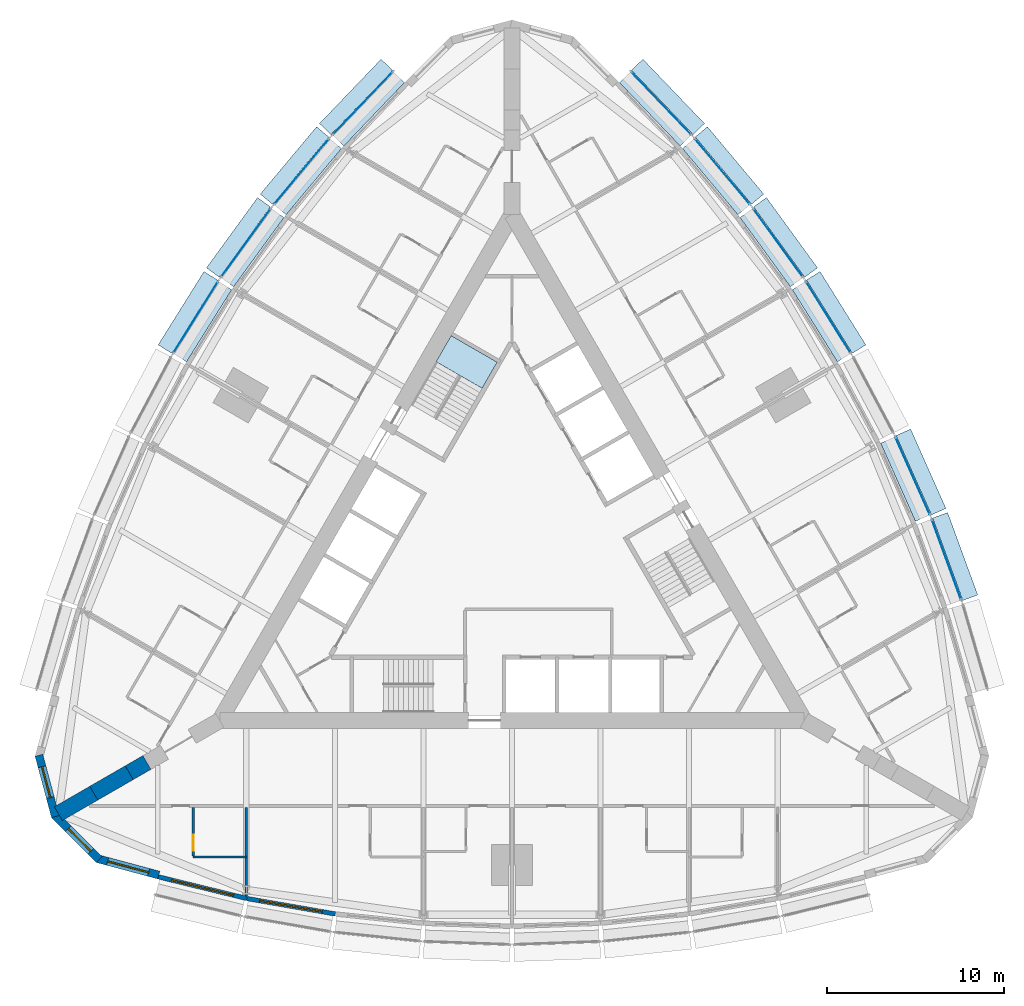
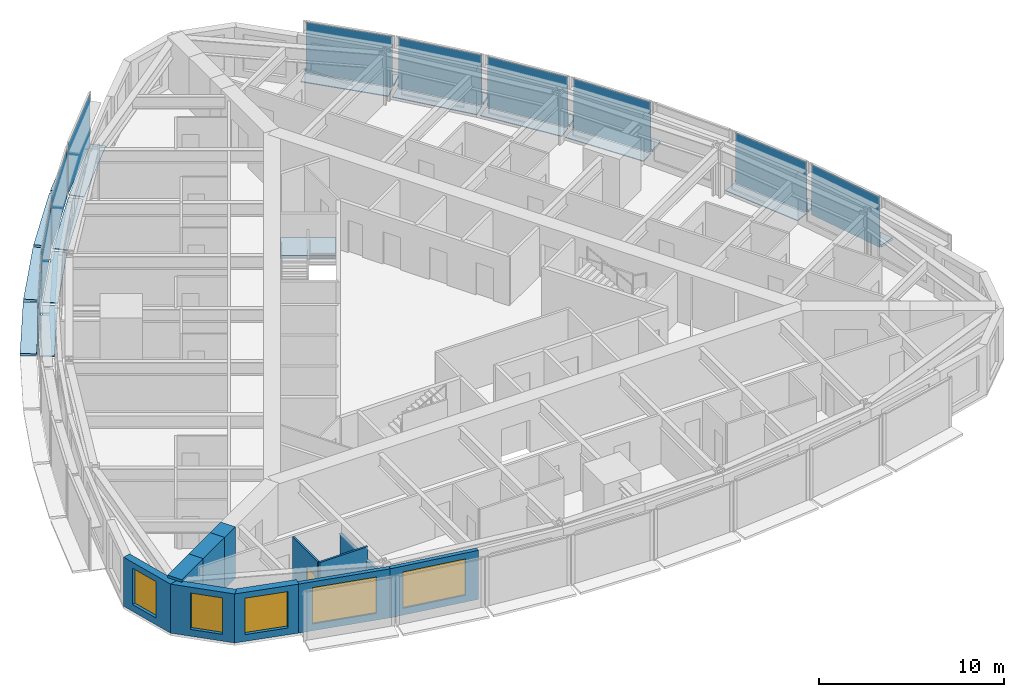
# One storey, part 7 of 14: 29 plates, 11 walls, 5 windows, 1 door, 1 slab, 6 openings, 11 elements without a shape of their own.
"""IFC4 building model written with IfcOpenShell, lengths in metres."""

from ifc_helpers import new_model, si_unit, direction, frame, frame_2d, origin, origin_2d, place, context, subcontext, project, spatial, polyline, rectangle, outline, extrude, material, layer, layer_set, type_object, element, fill, aggregate, save


model = new_model("IFC4")

# Units and contexts
model_context = context("Model", 3, precision=1e-05, world=origin(), true_north=direction((0.0, 1.0)))
body_context = subcontext(model_context, "Body", "Model", "MODEL_VIEW")
ifc_project = project(units=[si_unit("LENGTHUNIT", "METRE"), si_unit("AREAUNIT", "SQUARE_METRE"), si_unit("VOLUMEUNIT", "CUBIC_METRE"), si_unit("PLANEANGLEUNIT", "RADIAN"), si_unit("MASSUNIT", "GRAM", prefix="KILO")], contexts=[model_context])

# Site, building, storey
site_placement = place(None, origin())
site = spatial("IfcSite", under=ifc_project, at=site_placement, CompositionType="ELEMENT")
building_placement = place(site_placement, origin())
building = spatial("IfcBuilding", under=site, at=building_placement, Name="Trikona Tower", CompositionType="ELEMENT")
storey_placement = place(building_placement, frame((0.0, 0.0, 124.89990234375)))
storey = spatial("IfcBuildingStorey", under=building, at=storey_placement, Name="L32", CompositionType="ELEMENT", Elevation=124.89990234375)

# Plates
ifc_material_1 = material(Name="Aluminium bar grating", Category="aluminium")
ifc_layer_1 = layer(ifc_material_1, 0.050048828125)
ifc_layer_set_1 = layer_set([ifc_layer_1], Name="Cavity catwalk grating")
plate_type_1 = type_object("IfcPlateType", Name="Cavity catwalk grating", PredefinedType="USERDEFINED", material=ifc_layer_set_1)
plate_1_placement = place(storey_placement, frame((22.175048828125, 4.092529296875, -0.0498046875), z_axis=(0.0, 0.0, 1.0), x_axis=(-0.406843467615, 0.913497888809, 0.0)))
element("IfcPlate", 1, at=plate_1_placement, inside=storey, type_object=plate_type_1, Name="Cavity catwalk L32-14", ObjectType="CATWALK GRATING", PredefinedType="USERDEFINED", context=body_context, shape_type="SweptSolid", body=[
    extrude(rectangle(XDim=4.827392578125, YDim=0.830078125, at=origin_2d()), origin(), (0.0, 0.0, 1.0), 0.050048828125),
])
plate_2_placement = place(storey_placement, frame((17.450927734375, 12.978759765625, -0.0498046875), z_axis=(0.0, 0.0, 1.0), x_axis=(-0.529994748414, 0.848000923734, 0.0)))
element("IfcPlate", 2, at=plate_2_placement, inside=storey, type_object=plate_type_1, Name="Cavity catwalk L32-16", ObjectType="CATWALK GRATING", PredefinedType="USERDEFINED", context=body_context, shape_type="SweptSolid", body=[
    extrude(rectangle(XDim=4.802978515625, YDim=0.830078125, at=origin_2d()), origin(), (0.0, 0.0, 1.0), 0.050048828125),
])
plate_3_placement = place(storey_placement, frame((14.6318359375, 17.157958984375, -0.0498046875), z_axis=(0.0, 0.0, 1.0), x_axis=(-0.587686407834, 0.809088799853, 0.0)))
element("IfcPlate", 3, at=plate_3_placement, inside=storey, type_object=plate_type_1, Name="Cavity catwalk L32-17", ObjectType="CATWALK GRATING", PredefinedType="USERDEFINED", context=body_context, shape_type="SweptSolid", body=[
    extrude(rectangle(XDim=4.827392578125, YDim=0.830078125, at=origin_2d()), origin(), (0.0, 0.0, 1.0), 0.050048828125),
])
plate_4_placement = place(storey_placement, frame((11.508056640625, 21.160400390625, -0.0498046875), z_axis=(0.0, 0.0, 1.0), x_axis=(-0.641807063101, 0.766866151133, 0.0)))
element("IfcPlate", 4, at=plate_4_placement, inside=storey, type_object=plate_type_1, Name="Cavity catwalk L32-18", ObjectType="CATWALK GRATING", PredefinedType="USERDEFINED", context=body_context, shape_type="SweptSolid", body=[
    extrude(rectangle(XDim=4.8759765625, YDim=0.830078125, at=origin_2d()), origin(), (0.0, 0.0, 1.0), 0.050048828125),
])
for number, where, z_axis, x_axis, name in (
    (5, (8.080078125, 24.986328125, -0.0498046875), (0.0, 0.0, 1.0), (-0.691723573819, 0.722162376078, 0.0), "Cavity catwalk L32-19"),
    (6, (-8.080078125, 24.986328125, -0.0498046875), (0.0, 0.0, 1.0), (-0.691723573819, -0.722162376078, 0.0), "Cavity catwalk L32-24"),
):
    element("IfcPlate", number, at=place(storey_placement, frame(where, z_axis=z_axis, x_axis=x_axis)), inside=storey, type_object=plate_type_1, Name=name, ObjectType="CATWALK GRATING", PredefinedType="USERDEFINED", context=body_context, shape_type="SweptSolid", body=[
        extrude(rectangle(XDim=4.947998046875, YDim=0.830078125, at=origin_2d()), origin(), (0.0, 0.0, 1.0), 0.050048828125),
    ])
plate_5_placement = place(storey_placement, frame((-11.508056640625, 21.160400390625, -0.0498046875), z_axis=(0.0, 0.0, 1.0), x_axis=(-0.641807063101, -0.766866151133, 0.0)))
element("IfcPlate", 7, at=plate_5_placement, inside=storey, type_object=plate_type_1, Name="Cavity catwalk L32-25", ObjectType="CATWALK GRATING", PredefinedType="USERDEFINED", context=body_context, shape_type="SweptSolid", body=[
    extrude(rectangle(XDim=4.8759765625, YDim=0.830078125, at=origin_2d()), origin(), (0.0, 0.0, 1.0), 0.050048828125),
])
plate_6_placement = place(storey_placement, frame((-14.6318359375, 17.157958984375, -0.0498046875), z_axis=(0.0, 0.0, 1.0), x_axis=(-0.587686407834, -0.809088799853, 0.0)))
element("IfcPlate", 8, at=plate_6_placement, inside=storey, type_object=plate_type_1, Name="Cavity catwalk L32-26", ObjectType="CATWALK GRATING", PredefinedType="USERDEFINED", context=body_context, shape_type="SweptSolid", body=[
    extrude(rectangle(XDim=4.827392578125, YDim=0.830078125, at=origin_2d()), origin(), (0.0, 0.0, 1.0), 0.050048828125),
])
plate_7_placement = place(storey_placement, frame((-17.450927734375, 12.978759765625, -0.0498046875), z_axis=(0.0, 0.0, 1.0), x_axis=(-0.529994748414, -0.848000923734, 0.0)))
element("IfcPlate", 9, at=plate_7_placement, inside=storey, type_object=plate_type_1, Name="Cavity catwalk L32-27", ObjectType="CATWALK GRATING", PredefinedType="USERDEFINED", context=body_context, shape_type="SweptSolid", body=[
    extrude(rectangle(XDim=4.802978515625, YDim=0.830078125, at=origin_2d()), origin(), (0.0, 0.0, 1.0), 0.050048828125),
])

# Curtain wall, plate
ifc_material_2 = material(Name="Aluminium curtain wall system", Category="aluminium")
curtain_wall_type = type_object("IfcCurtainWallType", Name="Curtain wall DS2", PredefinedType="NOTDEFINED", material=ifc_material_2)
curtain_wall_1_placement = place(storey_placement, origin())
curtain_wall_1 = element("IfcCurtainWall", 10, at=curtain_wall_1_placement, inside=storey, type_object=curtain_wall_type, Name="Curtain wall DS2 L32", PredefinedType="NOTDEFINED")
ifc_material_3 = material(Name="Laminated clear glass", Category="glass")
ifc_layer_2 = layer(ifc_material_3, 0.028076171875)
ifc_layer_set_2 = layer_set([ifc_layer_2], Name="Glass panel DS2")
plate_type_2 = type_object("IfcPlateType", Name="Glass panel DS2", PredefinedType="CURTAIN_PANEL", material=ifc_layer_set_2)
plate_8_placement = place(storey_placement, frame((24.53515625, -0.447509765625, 0.0), z_axis=(0.0, 0.0, 1.0), x_axis=(-0.343223420143, 0.939253790978, 0.0)))
plate_8 = element("IfcPlate", 11, at=plate_8_placement, type_object=plate_type_2, Name="CW-DS2 panel 1.1", PredefinedType="CURTAIN_PANEL", context=body_context, shape_type="SweptSolid", body=[
    extrude(rectangle(XDim=4.7958984375, YDim=0.028076171875, at=origin_2d()), origin(), (0.0, 0.0, 1.0), 3.320068359375),
])
aggregate(curtain_wall_1, [plate_8])

curtain_wall_2_placement = place(storey_placement, origin())
curtain_wall_2 = element("IfcCurtainWall", 12, at=curtain_wall_2_placement, inside=storey, type_object=curtain_wall_type, Name="Curtain wall DS2 L32", PredefinedType="NOTDEFINED")
plate_9_placement = place(storey_placement, frame((22.6181640625, 4.289794921875, 0.0), z_axis=(0.0, 0.0, 1.0), x_axis=(-0.406836013132, 0.913501208767, 0.0)))
plate_9 = element("IfcPlate", 13, at=plate_9_placement, type_object=plate_type_2, Name="CW-DS2 panel 1.1", PredefinedType="CURTAIN_PANEL", context=body_context, shape_type="SweptSolid", body=[
    extrude(rectangle(XDim=4.747314453125, YDim=0.028076171875, at=origin_2d()), origin(), (0.0, 0.0, 1.0), 3.320068359375),
])
aggregate(curtain_wall_2, [plate_9])

curtain_wall_3_placement = place(storey_placement, origin())
curtain_wall_3 = element("IfcCurtainWall", 14, at=curtain_wall_3_placement, inside=storey, type_object=curtain_wall_type, Name="Curtain wall DS2 L32", PredefinedType="NOTDEFINED")
plate_10_placement = place(storey_placement, frame((17.8623046875, 13.23583984375, 0.0), z_axis=(0.0, 0.0, 1.0), x_axis=(-0.529998940002, 0.847998304006, 0.0)))
plate_10 = element("IfcPlate", 15, at=plate_10_placement, type_object=plate_type_2, Name="CW-DS2 panel 1.1", PredefinedType="CURTAIN_PANEL", context=body_context, shape_type="SweptSolid", body=[
    extrude(rectangle(XDim=4.72314453125, YDim=0.028076171875, at=origin_2d()), origin(), (0.0, 0.0, 1.0), 3.320068359375),
])
aggregate(curtain_wall_3, [plate_10])

curtain_wall_4_placement = place(storey_placement, origin())
curtain_wall_4 = element("IfcCurtainWall", 16, at=curtain_wall_4_placement, inside=storey, type_object=curtain_wall_type, Name="Curtain wall DS2 L32", PredefinedType="NOTDEFINED")
plate_11_placement = place(storey_placement, frame((15.024169921875, 17.443115234375, 0.0), z_axis=(0.0, 0.0, 1.0), x_axis=(-0.587690588313, 0.80908576332, 0.0)))
plate_11 = element("IfcPlate", 17, at=plate_11_placement, type_object=plate_type_2, Name="CW-DS2 panel 1.1", PredefinedType="CURTAIN_PANEL", context=body_context, shape_type="SweptSolid", body=[
    extrude(rectangle(XDim=4.74755859375, YDim=0.028076171875, at=origin_2d()), origin(), (0.0, 0.0, 1.0), 3.320068359375),
])
aggregate(curtain_wall_4, [plate_11])

curtain_wall_5_placement = place(storey_placement, origin())
curtain_wall_5 = element("IfcCurtainWall", 18, at=curtain_wall_5_placement, inside=storey, type_object=curtain_wall_type, Name="Curtain wall DS2 L32", PredefinedType="NOTDEFINED")
plate_12_placement = place(storey_placement, frame((11.8798828125, 21.4716796875, 0.0), z_axis=(0.0, 0.0, 1.0), x_axis=(-0.641806433248, 0.766866678271, 0.0)))
plate_12 = element("IfcPlate", 19, at=plate_12_placement, type_object=plate_type_2, Name="CW-DS2 panel 1.1", PredefinedType="CURTAIN_PANEL", context=body_context, shape_type="SweptSolid", body=[
    extrude(rectangle(XDim=4.7958984375, YDim=0.028076171875, at=origin_2d()), origin(), (0.0, 0.0, 1.0), 3.320068359375),
])
aggregate(curtain_wall_5, [plate_12])

curtain_wall_6_placement = place(storey_placement, origin())
curtain_wall_6 = element("IfcCurtainWall", 20, at=curtain_wall_6_placement, inside=storey, type_object=curtain_wall_type, Name="Curtain wall DS2 L32", PredefinedType="NOTDEFINED")
plate_13_placement = place(storey_placement, frame((8.430419921875, 25.32177734375, 0.0), z_axis=(0.0, 0.0, 1.0), x_axis=(-0.691727797117, 0.722158330767, 0.0)))
plate_13 = element("IfcPlate", 21, at=plate_13_placement, type_object=plate_type_2, Name="CW-DS2 panel 1.1", PredefinedType="CURTAIN_PANEL", context=body_context, shape_type="SweptSolid", body=[
    extrude(rectangle(XDim=4.867919921875, YDim=0.028076171875, at=origin_2d()), origin(), (0.0, 0.0, 1.0), 3.320068359375),
])
aggregate(curtain_wall_6, [plate_13])

curtain_wall_7_placement = place(storey_placement, origin())
curtain_wall_7 = element("IfcCurtainWall", 22, at=curtain_wall_7_placement, inside=storey, type_object=curtain_wall_type, Name="Curtain wall DS2 L32", PredefinedType="NOTDEFINED")
plate_14_placement = place(storey_placement, frame((-8.430419921875, 25.32177734375, 0.0), z_axis=(0.0, 0.0, 1.0), x_axis=(-0.691727797117, -0.722158330767, 0.0)))
plate_14 = element("IfcPlate", 23, at=plate_14_placement, type_object=plate_type_2, Name="CW-DS2 panel 1.1", PredefinedType="CURTAIN_PANEL", context=body_context, shape_type="SweptSolid", body=[
    extrude(rectangle(XDim=4.867919921875, YDim=0.028076171875, at=origin_2d()), origin(), (0.0, 0.0, 1.0), 3.320068359375),
])
aggregate(curtain_wall_7, [plate_14])

curtain_wall_8_placement = place(storey_placement, origin())
curtain_wall_8 = element("IfcCurtainWall", 24, at=curtain_wall_8_placement, inside=storey, type_object=curtain_wall_type, Name="Curtain wall DS2 L32", PredefinedType="NOTDEFINED")
plate_15_placement = place(storey_placement, frame((-11.8798828125, 21.4716796875, 0.0), z_axis=(0.0, 0.0, 1.0), x_axis=(-0.641806433248, -0.766866678271, 0.0)))
plate_15 = element("IfcPlate", 25, at=plate_15_placement, type_object=plate_type_2, Name="CW-DS2 panel 1.1", PredefinedType="CURTAIN_PANEL", context=body_context, shape_type="SweptSolid", body=[
    extrude(rectangle(XDim=4.7958984375, YDim=0.028076171875, at=origin_2d()), origin(), (0.0, 0.0, 1.0), 3.320068359375),
])
aggregate(curtain_wall_8, [plate_15])

curtain_wall_9_placement = place(storey_placement, origin())
curtain_wall_9 = element("IfcCurtainWall", 26, at=curtain_wall_9_placement, inside=storey, type_object=curtain_wall_type, Name="Curtain wall DS2 L32", PredefinedType="NOTDEFINED")
plate_16_placement = place(storey_placement, frame((-15.024169921875, 17.443115234375, 0.0), z_axis=(0.0, 0.0, 1.0), x_axis=(-0.587690588313, -0.80908576332, 0.0)))
plate_16 = element("IfcPlate", 27, at=plate_16_placement, type_object=plate_type_2, Name="CW-DS2 panel 1.1", PredefinedType="CURTAIN_PANEL", context=body_context, shape_type="SweptSolid", body=[
    extrude(rectangle(XDim=4.74755859375, YDim=0.028076171875, at=origin_2d()), origin(), (0.0, 0.0, 1.0), 3.320068359375),
])
aggregate(curtain_wall_9, [plate_16])

curtain_wall_10_placement = place(storey_placement, origin())
curtain_wall_10 = element("IfcCurtainWall", 28, at=curtain_wall_10_placement, inside=storey, type_object=curtain_wall_type, Name="Curtain wall DS2 L32", PredefinedType="NOTDEFINED")
plate_17_placement = place(storey_placement, frame((-17.8623046875, 13.23583984375, 0.0), z_axis=(0.0, 0.0, 1.0), x_axis=(-0.529998940002, -0.847998304006, 0.0)))
plate_17 = element("IfcPlate", 29, at=plate_17_placement, type_object=plate_type_2, Name="CW-DS2 panel 1.1", PredefinedType="CURTAIN_PANEL", context=body_context, shape_type="SweptSolid", body=[
    extrude(rectangle(XDim=4.72314453125, YDim=0.028076171875, at=origin_2d()), origin(), (0.0, 0.0, 1.0), 3.320068359375),
])
aggregate(curtain_wall_10, [plate_17])

# Plates
ifc_material_4 = material(Name="Aluminium plate fin, pale anodised, on stainless steel outriggers", Category="steel")
ifc_layer_3 = layer(ifc_material_4, 0.14990234375)
ifc_layer_set_3 = layer_set([ifc_layer_3], Name="Outer skin fin 900")
plate_type_3 = type_object("IfcPlateType", Name="Outer skin fin 900", PredefinedType="USERDEFINED", material=ifc_layer_set_3)
plate_18_placement = place(storey_placement, frame((25.0234375, -0.26904296875, 0.000244140625), z_axis=(0.0, 0.0, 1.0), x_axis=(-0.343220397324, 0.939254895575, 0.0)))
element("IfcPlate", 30, at=plate_18_placement, inside=storey, type_object=plate_type_3, Name="Outer skin fin L32-13", ObjectType="FIN", PredefinedType="USERDEFINED", context=body_context, shape_type="SweptSolid", body=[
    extrude(rectangle(XDim=4.9560546875, YDim=0.89990234375, at=origin_2d()), origin(), (0.0, 0.0, 1.0), 0.14990234375),
])
plate_19_placement = place(storey_placement, frame((23.09326171875, 4.50146484375, 0.000244140625), z_axis=(0.0, 0.0, 1.0), x_axis=(-0.406843467615, 0.913497888809, 0.0)))
element("IfcPlate", 31, at=plate_19_placement, inside=storey, type_object=plate_type_3, Name="Outer skin fin L32-14", ObjectType="FIN", PredefinedType="USERDEFINED", context=body_context, shape_type="SweptSolid", body=[
    extrude(rectangle(XDim=4.907470703125, YDim=0.89990234375, at=origin_2d()), origin(), (0.0, 0.0, 1.0), 0.14990234375),
])
plate_20_placement = place(storey_placement, frame((18.30322265625, 13.511474609375, 0.000244140625), z_axis=(0.0, 0.0, 1.0), x_axis=(-0.529994748414, 0.848000923734, 0.0)))
element("IfcPlate", 32, at=plate_20_placement, inside=storey, type_object=plate_type_3, Name="Outer skin fin L32-16", ObjectType="FIN", PredefinedType="USERDEFINED", context=body_context, shape_type="SweptSolid", body=[
    extrude(rectangle(XDim=4.883056640625, YDim=0.89990234375, at=origin_2d()), origin(), (0.0, 0.0, 1.0), 0.14990234375),
])
plate_21_placement = place(storey_placement, frame((15.44482421875, 17.74853515625, 0.000244140625), z_axis=(0.0, 0.0, 1.0), x_axis=(-0.587686407834, 0.809088799853, 0.0)))
element("IfcPlate", 33, at=plate_21_placement, inside=storey, type_object=plate_type_3, Name="Outer skin fin L32-17", ObjectType="FIN", PredefinedType="USERDEFINED", context=body_context, shape_type="SweptSolid", body=[
    extrude(rectangle(XDim=4.907470703125, YDim=0.89990234375, at=origin_2d()), origin(), (0.0, 0.0, 1.0), 0.14990234375),
])
plate_22_placement = place(storey_placement, frame((12.27880859375, 21.8056640625, 0.000244140625), z_axis=(0.0, 0.0, 1.0), x_axis=(-0.641807063101, 0.766866151133, 0.0)))
element("IfcPlate", 34, at=plate_22_placement, inside=storey, type_object=plate_type_3, Name="Outer skin fin L32-18", ObjectType="FIN", PredefinedType="USERDEFINED", context=body_context, shape_type="SweptSolid", body=[
    extrude(rectangle(XDim=4.9560546875, YDim=0.89990234375, at=origin_2d()), origin(), (0.0, 0.0, 1.0), 0.14990234375),
])
for number, where, z_axis, x_axis, name in (
    (35, (8.805908203125, 25.681396484375, 0.000244140625), (0.0, 0.0, 1.0), (-0.691723573819, 0.722162376078, 0.0), "Outer skin fin L32-19"),
    (36, (-8.805908203125, 25.681396484375, 0.000244140625), (0.0, 0.0, 1.0), (-0.691723573819, -0.722162376078, 0.0), "Outer skin fin L32-24"),
):
    element("IfcPlate", number, at=place(storey_placement, frame(where, z_axis=z_axis, x_axis=x_axis)), inside=storey, type_object=plate_type_3, Name=name, ObjectType="FIN", PredefinedType="USERDEFINED", context=body_context, shape_type="SweptSolid", body=[
        extrude(rectangle(XDim=5.02783203125, YDim=0.89990234375, at=origin_2d()), origin(), (0.0, 0.0, 1.0), 0.14990234375),
    ])
plate_23_placement = place(storey_placement, frame((-12.27880859375, 21.8056640625, 0.000244140625), z_axis=(0.0, 0.0, 1.0), x_axis=(-0.641807063101, -0.766866151133, 0.0)))
element("IfcPlate", 37, at=plate_23_placement, inside=storey, type_object=plate_type_3, Name="Outer skin fin L32-25", ObjectType="FIN", PredefinedType="USERDEFINED", context=body_context, shape_type="SweptSolid", body=[
    extrude(rectangle(XDim=4.9560546875, YDim=0.89990234375, at=origin_2d()), origin(), (0.0, 0.0, 1.0), 0.14990234375),
])
plate_24_placement = place(storey_placement, frame((-15.44482421875, 17.74853515625, 0.000244140625), z_axis=(0.0, 0.0, 1.0), x_axis=(-0.587686407834, -0.809088799853, 0.0)))
element("IfcPlate", 38, at=plate_24_placement, inside=storey, type_object=plate_type_3, Name="Outer skin fin L32-26", ObjectType="FIN", PredefinedType="USERDEFINED", context=body_context, shape_type="SweptSolid", body=[
    extrude(rectangle(XDim=4.907470703125, YDim=0.89990234375, at=origin_2d()), origin(), (0.0, 0.0, 1.0), 0.14990234375),
])
plate_25_placement = place(storey_placement, frame((-18.30322265625, 13.511474609375, 0.000244140625), z_axis=(0.0, 0.0, 1.0), x_axis=(-0.529994748414, -0.848000923734, 0.0)))
element("IfcPlate", 39, at=plate_25_placement, inside=storey, type_object=plate_type_3, Name="Outer skin fin L32-27", ObjectType="FIN", PredefinedType="USERDEFINED", context=body_context, shape_type="SweptSolid", body=[
    extrude(rectangle(XDim=4.883056640625, YDim=0.89990234375, at=origin_2d()), origin(), (0.0, 0.0, 1.0), 0.14990234375),
])

# Stair, slab
ifc_material_5 = material(Name="Concrete f'c 5000 psi", Category="concrete")
stair_type = type_object("IfcStairType", Name="Core stair", PredefinedType="HALF_TURN_STAIR", material=ifc_material_5)
stair_placement = place(storey_placement, origin())
stair = element("IfcStair", 40, at=stair_placement, inside=storey, type_object=stair_type, Name="Stair C L32", PredefinedType="HALF_TURN_STAIR")
ifc_material_6 = material(Name="Concrete f'c 5000 psi", Category="concrete")
ifc_layer_4 = layer(ifc_material_6, 0.199951171875)
ifc_layer_set_4 = layer_set([ifc_layer_4], Name="Stair landing 200")
slab_type = type_object("IfcSlabType", Name="Stair landing 200", PredefinedType="LANDING", material=ifc_layer_set_4)
slab_placement = place(storey_placement, frame((0.0, 0.0, 1.5)))
slab = element("IfcSlab", 41, at=slab_placement, type_object=slab_type, Name="ST-C landing 2", PredefinedType="LANDING", context=body_context, shape_type="SweptSolid", body=[
    extrude(outline(polyline([(-0.837158203125, 10.702392578125), (-1.688720703125, 9.2275390625), (-4.286865234375, 10.7275390625), (-3.435302734375, 12.202392578125), (-0.837158203125, 10.702392578125)])), origin(), (0.0, 0.0, 1.0), 0.2001953125),
])
aggregate(stair, [slab])

# Wall
ifc_material_7 = material(Name="Metal stud and cement board", Category="gypsum")
ifc_layer_5 = layer(ifc_material_7, 0.1201171875)
ifc_layer_set_5 = layer_set([ifc_layer_5], Name="Bathroom wall 120")
wall_type_1 = type_object("IfcWallType", Name="Bathroom wall 120", PredefinedType="PLUMBINGWALL", material=ifc_layer_set_5)
wall_1_placement = place(storey_placement, frame((-18.0, -17.226318359375, 0.0), z_axis=(0.0, 0.0, 1.0), x_axis=(1.0, 0.0, 0.0)))
element("IfcWall", 42, at=wall_1_placement, inside=storey, type_object=wall_type_1, Name="Bathroom wall 3201", PredefinedType="PLUMBINGWALL", context=body_context, shape_type="SweptSolid", body=[
    extrude(rectangle(XDim=3.0, YDim=0.1201171875, at=frame_2d((1.5, 0.0))), origin(), (0.0, 0.0, 1.0), 3.235107421875),
])

# Wall, opening, door
wall_2_placement = place(storey_placement, frame((-18.0, -14.42626953125, 0.0), z_axis=(0.0, 0.0, 1.0), x_axis=(0.0, -1.0, 0.0)))
wall_2 = element("IfcWall", 43, at=wall_2_placement, inside=storey, type_object=wall_type_1, Name="Bathroom wall 3201", PredefinedType="PLUMBINGWALL", context=body_context, shape_type="SweptSolid", body=[
    extrude(rectangle(XDim=2.739990234375, YDim=0.1201171875, at=frame_2d((1.3701171875, 0.0))), origin(), (0.0, 0.0, 1.0), 3.235107421875),
])
opening_1_placement = place(wall_2_placement, frame((1.550048828125, 0.0, 0.0)))
opening_1 = element("IfcOpeningElement", 44, at=opening_1_placement, cuts=wall_2, Name="Opening D2", PredefinedType="OPENING", context=body_context, shape_type="SweptSolid", body=[
    extrude(rectangle(XDim=0.89990234375, YDim=2.1298828125, at=frame_2d((0.449951171875, 1.06494140625))), frame((0.0, 0.070068359375, 0.0), z_axis=(0.0, -1.0, 0.0), x_axis=(1.0, 0.0, 0.0)), (0.0, 0.0, 1.0), 0.14013671875),
])
ifc_material_8 = material(Name="Steel door frame with solid-core timber leaf", Category="steel")
door_type = type_object("IfcDoorType", Name="Bathroom door 900x2130", OperationType="SLIDING_TO_LEFT", PredefinedType="DOOR", material=ifc_material_8)
door_placement = place(opening_1_placement, origin())
door = element("IfcDoor", 45, at=door_placement, inside=storey, type_object=door_type, Name="Bathroom door 3201", OperationType="SLIDING_TO_LEFT", OverallHeight=2.1298828125, OverallWidth=0.89990234375, PredefinedType="DOOR", context=body_context, shape_type="SweptSolid", body=[
    extrude(rectangle(XDim=0.89990234375, YDim=2.1298828125, at=frame_2d((0.449951171875, 1.06494140625))), frame((0.0, 0.02490234375, 0.0), z_axis=(0.0, -1.0, 0.0), x_axis=(1.0, 0.0, 0.0)), (0.0, 0.0, 1.0), 0.050048828125),
])
fill(opening_1, door)

# Wall, opening, window
ifc_material_9 = material(Name="Brick-faced precast concrete", Category="masonry")
ifc_layer_6 = layer(ifc_material_9, 0.449951171875)
ifc_layer_set_6 = layer_set([ifc_layer_6], Name="Brick-faced corner wall 450")
wall_type_2 = type_object("IfcWallType", Name="Brick-faced corner wall 450", PredefinedType="SOLIDWALL", material=ifc_layer_set_6)
wall_3_placement = place(storey_placement, frame((-26.7109375, -11.48876953125, 0.0), z_axis=(0.0, 0.0, 1.0), x_axis=(0.258823421857, -0.965924653531, 0.0)))
wall_3 = element("IfcWall", 46, at=wall_3_placement, inside=storey, type_object=wall_type_2, Name="External wall L32-33", PredefinedType="SOLIDWALL", context=body_context, shape_type="SweptSolid", body=[
    extrude(outline(polyline([(3.58642578125, 0.22509765625), (3.52685546875, 0.22509765625), (3.03515625, 0.09326171875), (3.0, 0.22509765625), (0.0, 0.22509765625), (0.0, -0.22509765625), (3.58642578125, -0.22509765625), (3.58642578125, 0.22509765625)])), origin(), (0.0, 0.0, 1.0), 3.235107421875),
])
opening_2_placement = place(wall_3_placement, frame((0.6748046875, 0.0, 0.449951171875)))
opening_2 = element("IfcOpeningElement", 47, at=opening_2_placement, cuts=wall_3, Name="Opening W1824", PredefinedType="OPENING", context=body_context, shape_type="SweptSolid", body=[
    extrude(rectangle(XDim=1.800048828125, YDim=2.39990234375, at=frame_2d((0.89990234375, 1.199951171875))), frame((0.0, 0.23486328125, 0.0), z_axis=(0.0, -1.0, 0.0), x_axis=(1.0, 0.0, 0.0)), (0.0, 0.0, 1.0), 0.469970703125),
])
ifc_material_10 = material(Name="Aluminium-framed double glazing", Category="aluminium")
window_type_1 = type_object("IfcWindowType", Name="Window 1800x2400", PartitioningType="SINGLE_PANEL", PredefinedType="WINDOW", material=ifc_material_10)
window_1_placement = place(opening_2_placement, origin())
window_1 = element("IfcWindow", 48, at=window_1_placement, inside=storey, type_object=window_type_1, Name="Window 3218", OverallHeight=2.39990234375, OverallWidth=1.800048828125, PartitioningType="SINGLE_PANEL", PredefinedType="WINDOW", context=body_context, shape_type="SweptSolid", body=[
    extrude(rectangle(XDim=1.800048828125, YDim=2.39990234375, at=frame_2d((0.89990234375, 1.199951171875))), frame((0.0, 0.030029296875, 0.0), z_axis=(0.0, -1.0, 0.0), x_axis=(1.0, 0.0, 0.0)), (0.0, 0.0, 1.0), 0.06005859375),
])
fill(opening_2, window_1)

wall_4_placement = place(storey_placement, frame((-25.8408203125, -14.85205078125, 0.0), z_axis=(0.0, 0.0, 1.0), x_axis=(0.707106781187, -0.707106781187, 0.0)))
wall_4 = element("IfcWall", 49, at=wall_4_placement, inside=storey, type_object=wall_type_2, Name="External wall L32-34", PredefinedType="SOLIDWALL", context=body_context, shape_type="SweptSolid", body=[
    extrude(outline(polyline([(3.586181640625, 0.22509765625), (0.58642578125, 0.22509765625), (0.551025390625, 0.09326171875), (0.05908203125, 0.22509765625), (0.0, 0.22509765625), (0.0, -0.22509765625), (3.586181640625, -0.22509765625), (3.586181640625, 0.22509765625)])), origin(), (0.0, 0.0, 1.0), 3.235107421875),
])
opening_3_placement = place(wall_4_placement, frame((1.111328125, 0.0, 0.449951171875)))
opening_3 = element("IfcOpeningElement", 50, at=opening_3_placement, cuts=wall_4, Name="Opening W1824", PredefinedType="OPENING", context=body_context, shape_type="SweptSolid", body=[
    extrude(rectangle(XDim=1.800048828125, YDim=2.39990234375, at=frame_2d((0.89990234375, 1.199951171875))), frame((0.0, 0.23486328125, 0.0), z_axis=(0.0, -1.0, 0.0), x_axis=(1.0, 0.0, 0.0)), (0.0, 0.0, 1.0), 0.469970703125),
])
window_2_placement = place(opening_3_placement, origin())
window_2 = element("IfcWindow", 51, at=window_2_placement, inside=storey, type_object=window_type_1, Name="Window 3201", OverallHeight=2.39990234375, OverallWidth=1.800048828125, PartitioningType="SINGLE_PANEL", PredefinedType="WINDOW", context=body_context, shape_type="SweptSolid", body=[
    extrude(rectangle(XDim=1.800048828125, YDim=2.39990234375, at=frame_2d((0.89990234375, 1.199951171875))), frame((0.0, 0.030029296875, 0.0), z_axis=(0.0, -1.0, 0.0), x_axis=(1.0, 0.0, 0.0)), (0.0, 0.0, 1.0), 0.06005859375),
])
fill(opening_3, window_2)

wall_5_placement = place(storey_placement, frame((-23.406005859375, -17.32958984375, 0.0), z_axis=(0.0, 0.0, 1.0), x_axis=(0.965924653531, -0.258823421857, 0.0)))
wall_5 = element("IfcWall", 52, at=wall_5_placement, inside=storey, type_object=wall_type_2, Name="External wall L32-35", PredefinedType="SOLIDWALL", context=body_context, shape_type="SweptSolid", body=[
    extrude(rectangle(XDim=3.58642578125, YDim=0.449951171875, at=frame_2d((1.793212890625, 0.0))), origin(), (0.0, 0.0, 1.0), 3.235107421875),
])
opening_4_placement = place(wall_5_placement, frame((0.593017578125, 0.0, 0.449951171875)))
opening_4 = element("IfcOpeningElement", 53, at=opening_4_placement, cuts=wall_5, Name="Opening W2424", PredefinedType="OPENING", context=body_context, shape_type="SweptSolid", body=[
    extrude(rectangle(XDim=2.39990234375, YDim=2.39990234375, at=frame_2d((1.199951171875, 1.199951171875))), frame((0.0, 0.23486328125, 0.0), z_axis=(0.0, -1.0, 0.0), x_axis=(1.0, 0.0, 0.0)), (0.0, 0.0, 1.0), 0.469970703125),
])
ifc_material_11 = material(Name="Aluminium-framed double glazing", Category="aluminium")
window_type_2 = type_object("IfcWindowType", Name="Window 2400x2400", PartitioningType="SINGLE_PANEL", PredefinedType="WINDOW", material=ifc_material_11)
window_3_placement = place(opening_4_placement, origin())
window_3 = element("IfcWindow", 54, at=window_3_placement, inside=storey, type_object=window_type_2, Name="Window 3201", OverallHeight=2.39990234375, OverallWidth=2.39990234375, PartitioningType="SINGLE_PANEL", PredefinedType="WINDOW", context=body_context, shape_type="SweptSolid", body=[
    extrude(rectangle(XDim=2.39990234375, YDim=2.39990234375, at=frame_2d((1.199951171875, 1.199951171875))), frame((0.0, 0.030029296875, 0.0), z_axis=(0.0, -1.0, 0.0), x_axis=(1.0, 0.0, 0.0)), (0.0, 0.0, 1.0), 0.06005859375),
])
fill(opening_4, window_3)

# Walls
ifc_material_12 = material(Name="Concrete f'c 10000 psi", Category="concrete")
ifc_layer_7 = layer(ifc_material_12, 0.89990234375)
ifc_layer_set_7 = layer_set([ifc_layer_7], Name="Buttress wall 900")
wall_type_3 = type_object("IfcWallType", Name="Buttress wall 900", PredefinedType="SHEAR", material=ifc_layer_set_7)
wall_6_placement = place(storey_placement, frame((-20.6103515625, -11.8994140625, 0.0), z_axis=(0.0, 0.0, 1.0), x_axis=(-0.866009537788, -0.500027479704, 0.0)))
element("IfcWall", 55, at=wall_6_placement, inside=storey, type_object=wall_type_3, Name="Buttress wall 3 part 2", PredefinedType="SHEAR", context=body_context, shape_type="SweptSolid", body=[
    extrude(rectangle(XDim=1.15478515625, YDim=0.89990234375, at=frame_2d((0.577392578125, 0.0))), origin(), (0.0, 0.0, 1.0), 3.400146484375),
])
for number, where, z_axis, x_axis, name in (
    (56, (-21.6103515625, -12.476806640625, 0.0), (0.0, 0.0, 1.0), (-0.866055313784, -0.499948190782, 0.0), "Buttress wall 3 part 3"),
    (57, (-23.6103515625, -13.63134765625, 0.0), (0.0, 0.0, 1.0), (-0.866009537788, -0.500027479704, 0.0), "Buttress wall 3 part 4"),
):
    element("IfcWall", number, at=place(storey_placement, frame(where, z_axis=z_axis, x_axis=x_axis)), inside=storey, type_object=wall_type_3, Name=name, PredefinedType="SHEAR", context=body_context, shape_type="SweptSolid", body=[
        extrude(rectangle(XDim=2.309326171875, YDim=0.89990234375, at=frame_2d((1.15478515625, 0.0))), origin(), (0.0, 0.0, 1.0), 3.400146484375),
    ])

# Wall, opening, window
ifc_material_13 = material(Name="Insulated precast concrete spandrel panel", Category="concrete")
ifc_layer_8 = layer(ifc_material_13, 0.25)
ifc_layer_set_8 = layer_set([ifc_layer_8], Name="Inner skin wall 250")
wall_type_4 = type_object("IfcWallType", Name="Inner skin wall 250", PredefinedType="STANDARD", material=ifc_layer_set_8)
wall_7_placement = place(storey_placement, frame((-19.97021484375, -18.353759765625, 0.0), z_axis=(0.0, 0.0, 1.0), x_axis=(0.971270024053, -0.237980126011, 0.0)))
wall_7 = element("IfcWall", 58, at=wall_7_placement, inside=storey, type_object=wall_type_4, Name="External wall L32-00", PredefinedType="STANDARD", context=body_context, shape_type="SweptSolid", body=[
    extrude(rectangle(XDim=5.14794921875, YDim=0.25, at=frame_2d((2.573974609375, 0.0))), origin(), (0.0, 0.0, 1.0), 3.235107421875),
])
opening_5_placement = place(wall_7_placement, frame((0.77392578125, 0.0, 0.449951171875)))
opening_5 = element("IfcOpeningElement", 59, at=opening_5_placement, cuts=wall_7, Name="Opening W3624", PredefinedType="OPENING", context=body_context, shape_type="SweptSolid", body=[
    extrude(rectangle(XDim=3.60009765625, YDim=2.39990234375, at=frame_2d((1.800048828125, 1.199951171875))), frame((0.0, 0.135009765625, 0.0), z_axis=(0.0, -1.0, 0.0), x_axis=(1.0, 0.0, 0.0)), (0.0, 0.0, 1.0), 0.27001953125),
])
ifc_material_14 = material(Name="Aluminium-framed double glazing", Category="aluminium")
window_type_3 = type_object("IfcWindowType", Name="Window 3600x2400", PartitioningType="SINGLE_PANEL", PredefinedType="WINDOW", material=ifc_material_14)
window_4_placement = place(opening_5_placement, origin())
window_4 = element("IfcWindow", 60, at=window_4_placement, inside=storey, type_object=window_type_3, Name="Window 3201", OverallHeight=2.39990234375, OverallWidth=3.60009765625, PartitioningType="SINGLE_PANEL", PredefinedType="WINDOW", context=body_context, shape_type="SweptSolid", body=[
    extrude(rectangle(XDim=3.60009765625, YDim=2.39990234375, at=frame_2d((1.800048828125, 1.199951171875))), frame((0.0, 0.030029296875, 0.0), z_axis=(0.0, -1.0, 0.0), x_axis=(1.0, 0.0, 0.0)), (0.0, 0.0, 1.0), 0.06005859375),
])
fill(opening_5, window_4)

wall_8_placement = place(storey_placement, frame((-14.978515625, -19.5771484375, 0.0), z_axis=(0.0, 0.0, 1.0), x_axis=(0.985030467156, -0.172380331752, 0.0)))
wall_8 = element("IfcWall", 61, at=wall_8_placement, inside=storey, type_object=wall_type_4, Name="External wall L32-01", PredefinedType="STANDARD", context=body_context, shape_type="SweptSolid", body=[
    extrude(rectangle(XDim=5.075927734375, YDim=0.25, at=frame_2d((2.5380859375, 0.0))), origin(), (0.0, 0.0, 1.0), 3.235107421875),
])
opening_6_placement = place(wall_8_placement, frame((0.738037109375, 0.0, 0.449951171875)))
opening_6 = element("IfcOpeningElement", 62, at=opening_6_placement, cuts=wall_8, Name="Opening W3624", PredefinedType="OPENING", context=body_context, shape_type="SweptSolid", body=[
    extrude(rectangle(XDim=3.60009765625, YDim=2.39990234375, at=frame_2d((1.800048828125, 1.199951171875))), frame((0.0, 0.135009765625, 0.0), z_axis=(0.0, -1.0, 0.0), x_axis=(1.0, 0.0, 0.0)), (0.0, 0.0, 1.0), 0.27001953125),
])
window_5_placement = place(opening_6_placement, origin())
window_5 = element("IfcWindow", 63, at=window_5_placement, inside=storey, type_object=window_type_3, Name="Window 3202", OverallHeight=2.39990234375, OverallWidth=3.60009765625, PartitioningType="SINGLE_PANEL", PredefinedType="WINDOW", context=body_context, shape_type="SweptSolid", body=[
    extrude(rectangle(XDim=3.60009765625, YDim=2.39990234375, at=frame_2d((1.800048828125, 1.199951171875))), frame((0.0, 0.030029296875, 0.0), z_axis=(0.0, -1.0, 0.0), x_axis=(1.0, 0.0, 0.0)), (0.0, 0.0, 1.0), 0.06005859375),
])
fill(opening_6, window_5)

# Wall
ifc_material_15 = material(Name="Metal stud and gypsum board, 1-hour acoustic", Category="gypsum")
ifc_layer_9 = layer(ifc_material_15, 0.14990234375)
ifc_layer_set_9 = layer_set([ifc_layer_9], Name="Party wall 150")
wall_type_5 = type_object("IfcWallType", Name="Party wall 150", PredefinedType="PARTITIONING", material=ifc_layer_set_9)
wall_9_placement = place(storey_placement, frame((-15.0, -14.42626953125, 0.0), z_axis=(0.0, 0.0, 1.0), x_axis=(0.0, -1.0, 0.0)))
element("IfcWall", 64, at=wall_9_placement, inside=storey, type_object=wall_type_5, Name="Partition L32 F1 u-15", PredefinedType="PARTITIONING", context=body_context, shape_type="SweptSolid", body=[
    extrude(rectangle(XDim=5.0166015625, YDim=0.14990234375, at=frame_2d((2.50830078125, 0.0))), origin(), (0.0, 0.0, 1.0), 2.389404296875),
])

save(model, "model.ifc")
